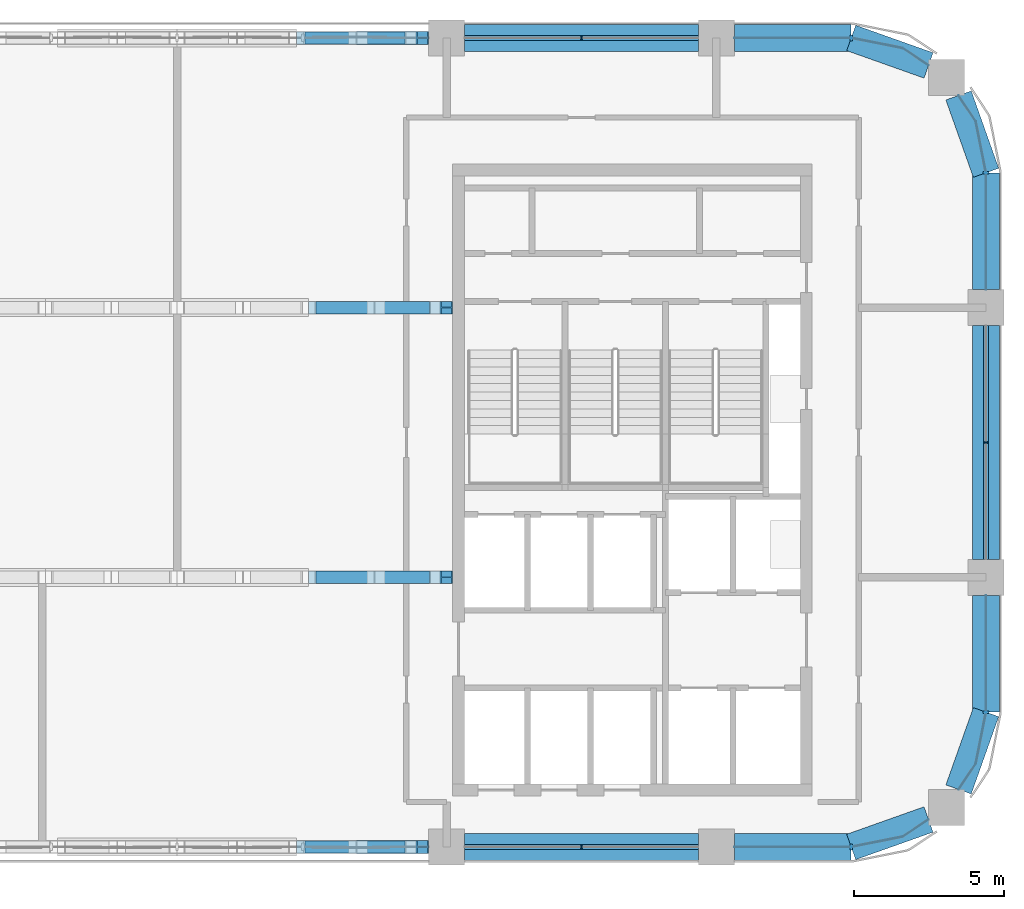
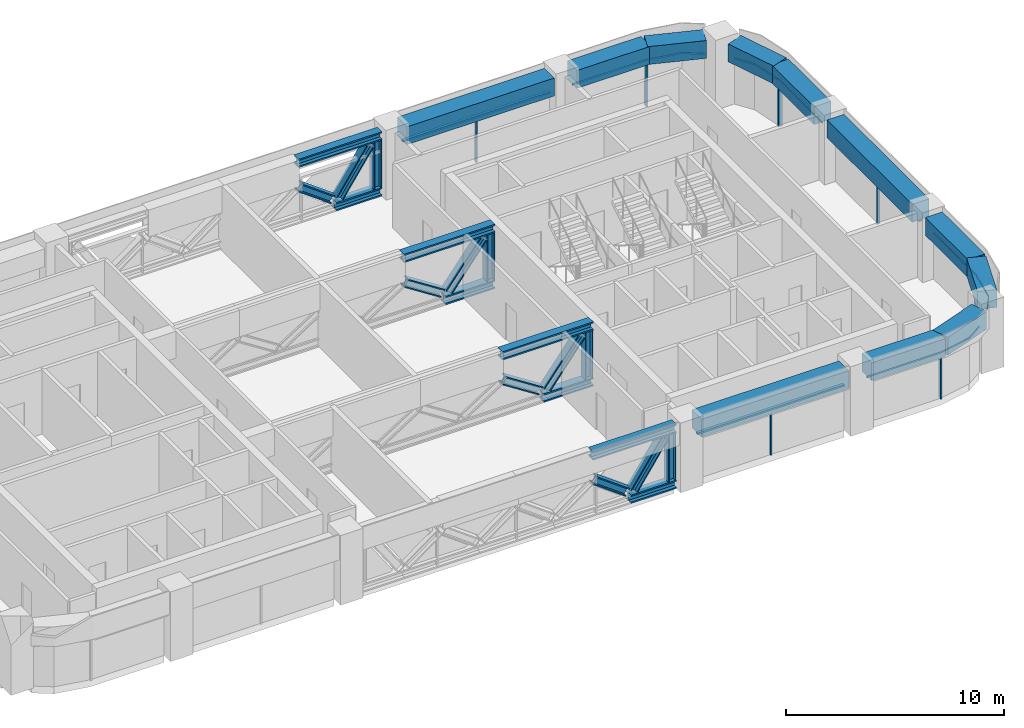
# One storey, part 5 of 12: 34 members, 11 beams, 7 elements without a shape of their own.
"""IFC4 building model written with IfcOpenShell, lengths in metres."""

import ifcopenshell
import ifcopenshell.guid

model = None  # the IFC model being written
_history = None  # IfcOwnerHistory: only IFC2X3 demands one
_inside = {}  # id of a spatial element -> (the spatial element, [elements in it])
_under = {}  # id of a project, library or spatial element -> (it, [spatial elements below it])
_declared = {}  # id of a project -> (the project, [libraries it declares])
_typed = {}  # id of a type object -> (the type object, [elements of that type])
_made_of = {}  # id of a material, layer set ... -> (it, [elements and type objects made of it])


def new_model(schema):
    """Start an empty IFC model of exactly this schema.

    Asked for "IFC4X3", IfcOpenShell would pick the latest addendum, in which some entities
    have other attributes; the version numbers below select the first issue.
    IFC2X3 requires an IfcOwnerHistory on every rooted entity: one is made here for all.
    """
    global model, _history
    if schema == "IFC4X3":
        model = ifcopenshell.file(schema_version=(4, 3, 0, 0))
    else:
        model = ifcopenshell.file(schema=schema)
    _inside.clear()
    _under.clear()
    _declared.clear()
    _typed.clear()
    _made_of.clear()
    _history = None
    if model.schema == "IFC2X3":
        org = make("IfcOrganization", Name="unknown")
        user = make(
            "IfcPersonAndOrganization",
            ThePerson=make("IfcPerson", FamilyName="unknown"),
            TheOrganization=org,
        )
        app = make(
            "IfcApplication",
            ApplicationDeveloper=org,
            Version="unknown",
            ApplicationFullName="unknown",
            ApplicationIdentifier="unknown",
        )
        _history = make(
            "IfcOwnerHistory",
            OwningUser=user,
            OwningApplication=app,
            ChangeAction="ADDED",
            CreationDate=0,
        )
    return model


def make(cls, **values):
    """One entity of the class cls with the attributes given. An attribute that is None is left unset."""
    return model.create_entity(
        cls, **{name: value for name, value in values.items() if value is not None}
    )


def rooted(cls, **values):
    """An entity with a GlobalId (a new one), such as an element, a storey or a relation."""
    return make(cls, GlobalId=ifcopenshell.guid.new(), OwnerHistory=_history, **values)


def si_unit(unit_type, name, prefix=None):
    """IfcSIUnit, for example si_unit("LENGTHUNIT", "METRE", prefix="MILLI")."""
    return make("IfcSIUnit", UnitType=unit_type, Prefix=prefix, Name=name)


def assignment(units):
    """IfcUnitAssignment: the units of a project."""
    return None if units is None else make("IfcUnitAssignment", Units=units)


def point(xyz):
    """IfcCartesianPoint."""
    return None if xyz is None else make("IfcCartesianPoint", Coordinates=xyz)


def direction(xyz):
    """IfcDirection."""
    return None if xyz is None else make("IfcDirection", DirectionRatios=xyz)


def frame(location, z_axis=None, x_axis=None):
    """IfcAxis2Placement3D, a coordinate frame: its origin and axes. An axis left out is left unset."""
    return make(
        "IfcAxis2Placement3D",
        Location=point(location),
        Axis=direction(z_axis),
        RefDirection=direction(x_axis),
    )


def frame_2d(location, x_axis=None):
    """IfcAxis2Placement2D, a coordinate frame in the plane: its origin and x axis."""
    return make(
        "IfcAxis2Placement2D", Location=point(location), RefDirection=direction(x_axis)
    )


def origin():
    """The frame at (0, 0, 0) with its axes left unset."""
    return frame((0.0, 0.0, 0.0))


def origin_2d():
    """The frame at (0, 0) in the plane with its x axis left unset."""
    return frame_2d((0.0, 0.0))


def place(relative_to, where):
    """IfcLocalPlacement: puts the frame where relative to a parent placement (None: the world)."""
    return make(
        "IfcLocalPlacement", PlacementRelTo=relative_to, RelativePlacement=where
    )


def context(
    kind, dimensions, precision=None, world=None, true_north=None, identifier=None
):
    """IfcGeometricRepresentationContext, for example the 3D "Model" context."""
    return make(
        "IfcGeometricRepresentationContext",
        ContextIdentifier=identifier,
        ContextType=kind,
        CoordinateSpaceDimension=dimensions,
        Precision=precision,
        WorldCoordinateSystem=world,
        TrueNorth=true_north,
    )


def subcontext(parent, identifier, kind, view, scale=None):
    """IfcGeometricRepresentationSubContext, for example "Body" below "Model"."""
    return make(
        "IfcGeometricRepresentationSubContext",
        ContextIdentifier=identifier,
        ContextType=kind,
        ParentContext=parent,
        TargetScale=scale,
        TargetView=view,
    )


def project(units=None, contexts=None):
    """IfcProject with its units and contexts."""
    return rooted(
        "IfcProject",
        Name="project",
        RepresentationContexts=contexts,
        UnitsInContext=assignment(units),
    )


def spatial(cls, under=None, at=None, **own):
    """A site, building, storey or space (cls), placed at a placement, below another one or the project."""
    s = rooted(cls, ObjectPlacement=at, **own)
    if under is not None:
        _under.setdefault(under.id(), (under, []))[1].append(s)
    return s


def polyline(points):
    """IfcPolyline through the points."""
    return make("IfcPolyline", Points=[point(p) for p in points])


def profile(cls, at=None, kind="AREA", **sizes):
    """A parametric profile (cls). Its sizes go by their IFC names, for example OverallWidth=200.0."""
    return make(cls, ProfileType=kind, Position=at, **sizes)


def rectangle(**sizes):
    """IfcRectangleProfileDef."""
    return profile("IfcRectangleProfileDef", **sizes)


def i_section(**sizes):
    """IfcIShapeProfileDef."""
    return profile("IfcIShapeProfileDef", **sizes)


def outline(outer, holes=None, kind="AREA"):
    """IfcArbitraryClosedProfileDef: a profile drawn as a closed curve; with holes, ...WithVoids."""
    if holes is None:
        return make("IfcArbitraryClosedProfileDef", ProfileType=kind, OuterCurve=outer)
    return make(
        "IfcArbitraryProfileDefWithVoids",
        ProfileType=kind,
        OuterCurve=outer,
        InnerCurves=holes,
    )


def extrude(swept, where, along, depth):
    """IfcExtrudedAreaSolid: the profile swept, set in the frame where, extruded along a direction by depth."""
    return make(
        "IfcExtrudedAreaSolid",
        SweptArea=swept,
        Position=where,
        ExtrudedDirection=direction(along),
        Depth=depth,
    )


def shape(context_of_items, identifier, shape_type, items):
    """IfcShapeRepresentation: the items that make up one representation, for example the "Body"."""
    return make(
        "IfcShapeRepresentation",
        ContextOfItems=context_of_items,
        RepresentationIdentifier=identifier,
        RepresentationType=shape_type,
        Items=items,
    )


def material(Name=None, Category=None):
    """IfcMaterial."""
    return make("IfcMaterial", Name=Name, Category=Category)


def material_profile(
    of_material, cross_section, Name=None, Category=None, Priority=None
):
    """IfcMaterialProfile: a cross section and its material."""
    return make(
        "IfcMaterialProfile",
        Name=Name,
        Material=of_material,
        Profile=cross_section,
        Priority=Priority,
        Category=Category,
    )


def profile_set(profiles, Name=None, composite=None):
    """IfcMaterialProfileSet."""
    return make(
        "IfcMaterialProfileSet",
        Name=Name,
        MaterialProfiles=profiles,
        CompositeProfile=composite,
    )


def made_of(thing, what):
    """Note that an element or type object is made of a material, layer set ...; save() writes the relation."""
    if what is not None:
        _made_of.setdefault(what.id(), (what, []))[1].append(thing)
    return thing


def type_object(cls, material=None, **own):
    """A type object (cls), such as IfcWallType, which elements share."""
    return made_of(rooted(cls, **own), material)


def element(
    cls,
    number,
    at=None,
    inside=None,
    cuts=None,
    type_object=None,
    material=None,
    context=None,
    identifier="Body",
    shape_type=None,
    held_by="IfcProductDefinitionShape",
    body=None,
    shapes=None,
    **own,
):
    """One element of the class cls, such as IfcWall. Its Tag is "e" and its number.

    at: its placement. inside: the storey or other place that contains it. cuts: it is an
    opening in that element (IfcRelVoidsElement). A single representation is given by context,
    identifier, shape_type and body (its items); several are given by shapes. held_by: the class
    of the entity that holds the representations. save() writes the other relations.
    """
    e = rooted(cls, Tag="e%d" % number, ObjectPlacement=at, **own)
    if body is not None:
        shapes = [shape(context, identifier, shape_type, body)]
    if shapes is not None:
        e.Representation = make(held_by, Representations=shapes)
    if inside is not None:
        _inside.setdefault(inside.id(), (inside, []))[1].append(e)
    if cuts is not None:
        rooted(
            "IfcRelVoidsElement", RelatingBuildingElement=cuts, RelatedOpeningElement=e
        )
    if type_object is not None:
        _typed.setdefault(type_object.id(), (type_object, []))[1].append(e)
    return made_of(e, material)


def aggregate(whole, parts):
    """IfcRelAggregates: a whole, such as a stair, and the parts it consists of."""
    return rooted("IfcRelAggregates", RelatingObject=whole, RelatedObjects=parts)


def save(model, path):
    """Write the relations noted so far, then the file.

    IfcRelAggregates (storeys below a building ...), IfcRelContainedInSpatialStructure (elements
    in a storey), IfcRelDefinesByType, IfcRelAssociatesMaterial and IfcRelDeclares: one each for
    every whole, place, type object, material and project.
    """
    for whole, parts in _under.values():
        aggregate(whole, parts)
    for where, things in _inside.values():
        rooted(
            "IfcRelContainedInSpatialStructure",
            RelatedElements=things,
            RelatingStructure=where,
        )
    for kind, things in _typed.values():
        rooted("IfcRelDefinesByType", RelatedObjects=things, RelatingType=kind)
    for what, things in _made_of.values():
        rooted("IfcRelAssociatesMaterial", RelatedObjects=things, RelatingMaterial=what)
    for by, libraries in _declared.values():
        rooted("IfcRelDeclares", RelatingContext=by, RelatedDefinitions=libraries)
    model.write(path)


model = new_model("IFC4")

# Units and contexts
model_context = context("Model", 3, precision=1e-05, world=origin(), true_north=direction((0.0, 1.0)))
body_context = subcontext(model_context, "Body", "Model", "MODEL_VIEW")
ifc_project = project(units=[si_unit("LENGTHUNIT", "METRE"), si_unit("AREAUNIT", "SQUARE_METRE"), si_unit("VOLUMEUNIT", "CUBIC_METRE"), si_unit("PLANEANGLEUNIT", "RADIAN"), si_unit("MASSUNIT", "GRAM", prefix="KILO")], contexts=[model_context])

# Site, building, storey
site_placement = place(None, origin())
site = spatial("IfcSite", under=ifc_project, at=site_placement, CompositionType="ELEMENT")
building_placement = place(site_placement, origin())
building = spatial("IfcBuilding", under=site, at=building_placement, Name="Tessera Arch", CompositionType="ELEMENT")
storey_placement = place(building_placement, frame((0.0, 0.0, 230.60009765625)))
storey = spatial("IfcBuildingStorey", under=building, at=storey_placement, Name="L55", CompositionType="ELEMENT", Elevation=230.60009765625)

# Curtain wall, member
ifc_material_1 = material(Name="CW1 curtain wall")
curtain_wall_type_1 = type_object("IfcCurtainWallType", Name="CW1 curtain wall", PredefinedType="NOTDEFINED", material=ifc_material_1)
curtain_wall_1_placement = place(storey_placement, origin())
curtain_wall_1 = element("IfcCurtainWall", 1, at=curtain_wall_1_placement, inside=storey, type_object=curtain_wall_type_1, Name="CW1 curtain wall E54.27/0 L55", PredefinedType="NOTDEFINED")
ifc_material_2 = material(Name="Anodised aluminium pale metal", Category="aluminium")
ifc_material_profile_1 = material_profile(ifc_material_2, rectangle(XDim=0.159912109375, YDim=0.06005859375, at=origin_2d()), Name="AL 60x160")
ifc_profile_set_1 = profile_set([ifc_material_profile_1], Name="Anodised aluminium pale metal")
member_type_1 = type_object("IfcMemberType", Name="CW1 mullion", PredefinedType="MULLION", material=ifc_profile_set_1)
member_1_placement = place(storey_placement, frame((54.0, 40.5, 0.0), z_axis=(0.0, 0.0, 1.0), x_axis=(-1.0, 0.0, 0.0)))
member_1 = element("IfcMember", 2, at=member_1_placement, type_object=member_type_1, Name="CW1 mullion E54.27/0 1", PredefinedType="MULLION", context=body_context, shape_type="SweptSolid", body=[
    extrude(rectangle(XDim=0.159912109375, YDim=0.06005859375, at=origin_2d()), origin(), (0.0, 0.0, 1.0), 2.5),
])

curtain_wall_2_placement = place(storey_placement, origin())
curtain_wall_2 = element("IfcCurtainWall", 3, at=curtain_wall_2_placement, inside=storey, type_object=curtain_wall_type_1, Name="CW1 curtain wall N54.0/1 L55", PredefinedType="NOTDEFINED")
member_2_placement = place(storey_placement, frame((40.5, 54.0, 0.0), z_axis=(0.0, 0.0, 1.0), x_axis=(0.0, -1.0, 0.0)))
member_2 = element("IfcMember", 4, at=member_2_placement, type_object=member_type_1, Name="CW1 mullion N54.0/1 1", PredefinedType="MULLION", context=body_context, shape_type="SweptSolid", body=[
    extrude(rectangle(XDim=0.159912109375, YDim=0.06005859375, at=origin_2d()), origin(), (0.0, 0.0, 1.0), 2.5),
])

curtain_wall_3_placement = place(storey_placement, origin())
curtain_wall_3 = element("IfcCurtainWall", 5, at=curtain_wall_3_placement, inside=storey, type_object=curtain_wall_type_1, Name="CW1 curtain wall S27.0/3 L55", PredefinedType="NOTDEFINED")
member_3_placement = place(storey_placement, frame((40.5, 27.0, 0.0), z_axis=(0.0, 0.0, 1.0), x_axis=(0.0, 1.0, 0.0)))
member_3 = element("IfcMember", 6, at=member_3_placement, type_object=member_type_1, Name="CW1 mullion S27.0/3 1", PredefinedType="MULLION", context=body_context, shape_type="SweptSolid", body=[
    extrude(rectangle(XDim=0.159912109375, YDim=0.06005859375, at=origin_2d()), origin(), (0.0, 0.0, 1.0), 2.5),
])

# Member
ifc_material_3 = material(Name="Anodised aluminium pale metal", Category="aluminium")
ifc_material_profile_2 = material_profile(ifc_material_3, rectangle(XDim=0.159912109375, YDim=0.10009765625, at=origin_2d()), Name="AL 160x100")
ifc_profile_set_2 = profile_set([ifc_material_profile_2], Name="Anodised aluminium pale metal")
member_type_2 = type_object("IfcMemberType", Name="CW1 transom", PredefinedType="USERDEFINED", material=ifc_profile_set_2)
member_4_placement = place(storey_placement, frame((54.0, 36.60009765625, 2.5498046875), z_axis=(0.0, 1.0, 0.0), x_axis=(-1.0, 0.0, 0.0)))
member_4 = element("IfcMember", 7, at=member_4_placement, type_object=member_type_2, Name="CW1 transom E54.27/0 1.1", ObjectType="TRANSOM", PredefinedType="USERDEFINED", context=body_context, shape_type="SweptSolid", body=[
    extrude(rectangle(XDim=0.159912109375, YDim=0.10009765625, at=origin_2d()), origin(), (0.0, 0.0, 1.0), 7.7998046875),
])

aggregate(curtain_wall_1, [member_1, member_4])

member_5_placement = place(storey_placement, frame((44.39990234375, 54.0, 2.5498046875), z_axis=(-1.0, 0.0, 0.0), x_axis=(0.0, -1.0, 0.0)))
member_5 = element("IfcMember", 8, at=member_5_placement, type_object=member_type_2, Name="CW1 transom N54.0/1 1.1", ObjectType="TRANSOM", PredefinedType="USERDEFINED", context=body_context, shape_type="SweptSolid", body=[
    extrude(rectangle(XDim=0.159912109375, YDim=0.10009765625, at=origin_2d()), origin(), (0.0, 0.0, 1.0), 7.7998046875),
])

aggregate(curtain_wall_2, [member_2, member_5])

member_6_placement = place(storey_placement, frame((36.60009765625, 27.0, 2.5498046875), z_axis=(1.0, 0.0, 0.0), x_axis=(0.0, 1.0, 0.0)))
member_6 = element("IfcMember", 9, at=member_6_placement, type_object=member_type_2, Name="CW1 transom S27.0/3 1.1", ObjectType="TRANSOM", PredefinedType="USERDEFINED", context=body_context, shape_type="SweptSolid", body=[
    extrude(rectangle(XDim=0.159912109375, YDim=0.10009765625, at=origin_2d()), origin(), (0.0, 0.0, 1.0), 7.7998046875),
])

aggregate(curtain_wall_3, [member_3, member_6])

# Curtain wall, member
ifc_material_4 = material(Name="CW2 curtain wall")
curtain_wall_type_2 = type_object("IfcCurtainWallType", Name="CW2 curtain wall", PredefinedType="NOTDEFINED", material=ifc_material_4)
curtain_wall_4_placement = place(storey_placement, origin())
curtain_wall_4 = element("IfcCurtainWall", 10, at=curtain_wall_4_placement, inside=storey, type_object=curtain_wall_type_2, Name="CW2 curtain wall E54.27/1 L55", PredefinedType="NOTDEFINED")
ifc_material_5 = material(Name="Anodised aluminium pale metal", Category="aluminium")
ifc_material_profile_3 = material_profile(ifc_material_5, rectangle(XDim=0.199951171875, YDim=0.080078125, at=origin_2d()), Name="AL 80x200")
ifc_profile_set_3 = profile_set([ifc_material_profile_3], Name="Anodised aluminium pale metal")
member_type_3 = type_object("IfcMemberType", Name="CW2 mullion", PredefinedType="MULLION", material=ifc_profile_set_3)
member_7_placement = place(storey_placement, frame((54.0, 49.5, 0.0), z_axis=(0.0, 0.0, 1.0), x_axis=(-1.0, 0.0, 0.0)))
member_7 = element("IfcMember", 11, at=member_7_placement, type_object=member_type_3, Name="CW2 mullion E54.27/1 1", PredefinedType="MULLION", context=body_context, shape_type="SweptSolid", body=[
    extrude(rectangle(XDim=0.199951171875, YDim=0.080078125, at=origin_2d()), origin(), (0.0, 0.0, 1.0), 2.5),
])

curtain_wall_5_placement = place(storey_placement, origin())
curtain_wall_5 = element("IfcCurtainWall", 12, at=curtain_wall_5_placement, inside=storey, type_object=curtain_wall_type_2, Name="CW2 curtain wall N54.0/0 L55", PredefinedType="NOTDEFINED")
member_8_placement = place(storey_placement, frame((49.5, 54.0, 0.0), z_axis=(0.0, 0.0, 1.0), x_axis=(0.0, -1.0, 0.0)))
member_8 = element("IfcMember", 13, at=member_8_placement, type_object=member_type_3, Name="CW2 mullion N54.0/0 1", PredefinedType="MULLION", context=body_context, shape_type="SweptSolid", body=[
    extrude(rectangle(XDim=0.199951171875, YDim=0.080078125, at=origin_2d()), origin(), (0.0, 0.0, 1.0), 2.5),
])

curtain_wall_6_placement = place(storey_placement, origin())
curtain_wall_6 = element("IfcCurtainWall", 14, at=curtain_wall_6_placement, inside=storey, type_object=curtain_wall_type_2, Name="CW2 curtain wall S27.0/4 L55", PredefinedType="NOTDEFINED")
member_9_placement = place(storey_placement, frame((49.5, 27.0, 0.0), z_axis=(0.0, 0.0, 1.0), x_axis=(0.0, 1.0, 0.0)))
member_9 = element("IfcMember", 15, at=member_9_placement, type_object=member_type_3, Name="CW2 mullion S27.0/4 1", PredefinedType="MULLION", context=body_context, shape_type="SweptSolid", body=[
    extrude(rectangle(XDim=0.199951171875, YDim=0.080078125, at=origin_2d()), origin(), (0.0, 0.0, 1.0), 2.5),
])

curtain_wall_7_placement = place(storey_placement, origin())
curtain_wall_7 = element("IfcCurtainWall", 16, at=curtain_wall_7_placement, inside=storey, type_object=curtain_wall_type_2, Name="CW2 curtain wall E54.27/2 L55", PredefinedType="NOTDEFINED")
member_10_placement = place(storey_placement, frame((54.0, 31.5, 0.0), z_axis=(0.0, 0.0, 1.0), x_axis=(-1.0, 0.0, 0.0)))
member_10 = element("IfcMember", 17, at=member_10_placement, type_object=member_type_3, Name="CW2 mullion E54.27/2 1", PredefinedType="MULLION", context=body_context, shape_type="SweptSolid", body=[
    extrude(rectangle(XDim=0.199951171875, YDim=0.080078125, at=origin_2d()), origin(), (0.0, 0.0, 1.0), 2.5),
])

# Member
ifc_material_6 = material(Name="Anodised aluminium pale metal", Category="aluminium")
ifc_material_profile_4 = material_profile(ifc_material_6, rectangle(XDim=0.199951171875, YDim=0.10009765625, at=origin_2d()), Name="AL 200x100")
ifc_profile_set_4 = profile_set([ifc_material_profile_4], Name="Anodised aluminium pale metal")
member_type_4 = type_object("IfcMemberType", Name="CW2 transom", PredefinedType="USERDEFINED", material=ifc_profile_set_4)
member_11_placement = place(storey_placement, frame((0.0, 0.0, 2.5)))
member_11 = element("IfcMember", 18, at=member_11_placement, type_object=member_type_4, Name="CW2 transom E54.27/1 1", ObjectType="TRANSOM", PredefinedType="USERDEFINED", context=body_context, shape_type="SweptSolid", body=[
    extrude(outline(polyline([(53.989990234375, 49.4990234375), (53.989990234375, 45.60009765625), (54.010009765625, 45.60009765625), (54.010009765625, 49.5009765625), (53.6669921875, 51.22607421875), (53.09130859375, 52.087646484375), (53.07470703125, 52.076416015625), (53.648193359375, 51.21826171875), (53.989990234375, 49.4990234375)])), origin(), (0.0, 0.0, 1.0), 0.099853515625),
])

aggregate(curtain_wall_4, [member_7, member_11])

member_12_placement = place(storey_placement, frame((0.0, 0.0, 2.5)))
member_12 = element("IfcMember", 19, at=member_12_placement, type_object=member_type_4, Name="CW2 transom N54.0/0 1", ObjectType="TRANSOM", PredefinedType="USERDEFINED", context=body_context, shape_type="SweptSolid", body=[
    extrude(outline(polyline([(51.21826171875, 53.648193359375), (52.076416015625, 53.07470703125), (52.087646484375, 53.09130859375), (51.22607421875, 53.6669921875), (49.5009765625, 54.010009765625), (45.60009765625, 54.010009765625), (45.60009765625, 53.989990234375), (49.4990234375, 53.989990234375), (51.21826171875, 53.648193359375)])), origin(), (0.0, 0.0, 1.0), 0.099853515625),
])

aggregate(curtain_wall_5, [member_8, member_12])

member_13_placement = place(storey_placement, frame((0.0, 0.0, 2.5)))
member_13 = element("IfcMember", 20, at=member_13_placement, type_object=member_type_4, Name="CW2 transom S27.0/4 1", ObjectType="TRANSOM", PredefinedType="USERDEFINED", context=body_context, shape_type="SweptSolid", body=[
    extrude(outline(polyline([(49.4990234375, 27.010009765625), (45.60009765625, 27.010009765625), (45.60009765625, 26.989990234375), (49.5009765625, 26.989990234375), (51.22607421875, 27.3330078125), (52.087646484375, 27.90869140625), (52.076416015625, 27.92529296875), (51.21826171875, 27.351806640625), (49.4990234375, 27.010009765625)])), origin(), (0.0, 0.0, 1.0), 0.099853515625),
])

aggregate(curtain_wall_6, [member_9, member_13])

member_14_placement = place(storey_placement, frame((0.0, 0.0, 2.5)))
member_14 = element("IfcMember", 21, at=member_14_placement, type_object=member_type_4, Name="CW2 transom E54.27/2 1", ObjectType="TRANSOM", PredefinedType="USERDEFINED", context=body_context, shape_type="SweptSolid", body=[
    extrude(outline(polyline([(53.648193359375, 29.78173828125), (53.07470703125, 28.923583984375), (53.09130859375, 28.912353515625), (53.6669921875, 29.77392578125), (54.010009765625, 31.4990234375), (54.010009765625, 35.39990234375), (53.989990234375, 35.39990234375), (53.989990234375, 31.5009765625), (53.648193359375, 29.78173828125)])), origin(), (0.0, 0.0, 1.0), 0.099853515625),
])

aggregate(curtain_wall_7, [member_10, member_14])

# Beams
ifc_material_7 = material(Name="Concrete C60/75", Category="concrete")
ifc_material_profile_5 = material_profile(ifc_material_7, rectangle(XDim=0.89990234375, YDim=1.0, at=origin_2d()), Name="RC spandrel beam 900 x 1000 Concrete C60/75")
ifc_profile_set_5 = profile_set([ifc_material_profile_5], Name="Concrete C60/75")
beam_type = type_object("IfcBeamType", Name="RC spandrel beam 900 x 1000 Concrete C60/75", PredefinedType="BEAM", material=ifc_profile_set_5)
beam_1_placement = place(storey_placement, frame((54.0, 36.60009765625, 3.099853515625), z_axis=(0.0, 1.0, 0.0), x_axis=(-1.0, 0.0, 0.0)))
element("IfcBeam", 22, at=beam_1_placement, inside=storey, type_object=beam_type, Name="Spandrel beam L55 E54.27/0", PredefinedType="BEAM", context=body_context, shape_type="SweptSolid", body=[
    extrude(rectangle(XDim=0.89990234375, YDim=1.0, at=origin_2d()), origin(), (0.0, 0.0, 1.0), 7.7998046875),
])
beam_2_placement = place(storey_placement, frame((54.0, 45.60009765625, 3.099853515625), z_axis=(0.0, 1.0, 0.0), x_axis=(-1.0, 0.0, 0.0)))
element("IfcBeam", 23, at=beam_2_placement, inside=storey, type_object=beam_type, Name="Spandrel beam L55 E54.27/1.1", PredefinedType="BEAM", context=body_context, shape_type="SweptSolid", body=[
    extrude(rectangle(XDim=0.89990234375, YDim=1.0, at=origin_2d()), origin(), (0.0, 0.0, 1.0), 3.89990234375),
])
for number, where, z_axis, x_axis, name in (
    (24, (54.0, 49.5, 3.099853515625), (-0.334665114373, 0.942337127159, 0.0), (-0.942337127159, -0.334665114373, 0.0), "Spandrel beam L55 E54.27/1.2"),
    (25, (52.08203125, 53.0830078125, 3.099853515625), (-0.942337127159, 0.334665114373, 0.0), (-0.334665114373, -0.942337127159, 0.0), "Spandrel beam L55 N54.0/0.1"),
):
    element("IfcBeam", number, at=place(storey_placement, frame(where, z_axis=z_axis, x_axis=x_axis)), inside=storey, type_object=beam_type, Name=name, PredefinedType="BEAM", context=body_context, shape_type="SweptSolid", body=[
        extrude(rectangle(XDim=0.89990234375, YDim=1.0, at=origin_2d()), origin(), (0.0, 0.0, 1.0), 2.739990234375),
    ])
beam_3_placement = place(storey_placement, frame((49.5, 54.0, 3.099853515625), z_axis=(-1.0, 0.0, 0.0), x_axis=(0.0, -1.0, 0.0)))
element("IfcBeam", 26, at=beam_3_placement, inside=storey, type_object=beam_type, Name="Spandrel beam L55 N54.0/0.2", PredefinedType="BEAM", context=body_context, shape_type="SweptSolid", body=[
    extrude(rectangle(XDim=0.89990234375, YDim=1.0, at=origin_2d()), origin(), (0.0, 0.0, 1.0), 3.89990234375),
])
for number, where, z_axis, x_axis, name in (
    (27, (44.39990234375, 54.0, 3.099853515625), (-1.0, 0.0, 0.0), (0.0, -1.0, 0.0), "Spandrel beam L55 N54.0/1"),
    (28, (36.60009765625, 27.0, 3.099853515625), (1.0, 0.0, 0.0), (0.0, 1.0, 0.0), "Spandrel beam L55 S27.0/3"),
):
    element("IfcBeam", number, at=place(storey_placement, frame(where, z_axis=z_axis, x_axis=x_axis)), inside=storey, type_object=beam_type, Name=name, PredefinedType="BEAM", context=body_context, shape_type="SweptSolid", body=[
        extrude(rectangle(XDim=0.89990234375, YDim=1.0, at=origin_2d()), origin(), (0.0, 0.0, 1.0), 7.7998046875),
    ])
beam_4_placement = place(storey_placement, frame((45.60009765625, 27.0, 3.099853515625), z_axis=(1.0, 0.0, 0.0), x_axis=(0.0, 1.0, 0.0)))
element("IfcBeam", 29, at=beam_4_placement, inside=storey, type_object=beam_type, Name="Spandrel beam L55 S27.0/4.1", PredefinedType="BEAM", context=body_context, shape_type="SweptSolid", body=[
    extrude(rectangle(XDim=0.89990234375, YDim=1.0, at=origin_2d()), origin(), (0.0, 0.0, 1.0), 3.89990234375),
])
for number, where, z_axis, x_axis, name in (
    (30, (49.5, 27.0, 3.099853515625), (0.942337127159, 0.334665114373, 0.0), (-0.334665114373, 0.942337127159, 0.0), "Spandrel beam L55 S27.0/4.2"),
    (31, (53.0830078125, 28.91796875, 3.099853515625), (0.334665114373, 0.942337127159, 0.0), (-0.942337127159, 0.334665114373, 0.0), "Spandrel beam L55 E54.27/2.1"),
):
    element("IfcBeam", number, at=place(storey_placement, frame(where, z_axis=z_axis, x_axis=x_axis)), inside=storey, type_object=beam_type, Name=name, PredefinedType="BEAM", context=body_context, shape_type="SweptSolid", body=[
        extrude(rectangle(XDim=0.89990234375, YDim=1.0, at=origin_2d()), origin(), (0.0, 0.0, 1.0), 2.739990234375),
    ])
beam_5_placement = place(storey_placement, frame((54.0, 31.5, 3.099853515625), z_axis=(0.0, 1.0, 0.0), x_axis=(-1.0, 0.0, 0.0)))
element("IfcBeam", 32, at=beam_5_placement, inside=storey, type_object=beam_type, Name="Spandrel beam L55 E54.27/2.2", PredefinedType="BEAM", context=body_context, shape_type="SweptSolid", body=[
    extrude(rectangle(XDim=0.89990234375, YDim=1.0, at=origin_2d()), origin(), (0.0, 0.0, 1.0), 3.89990234375),
])

# Members
ifc_material_8 = material(Name="Steel A992 Gr50", Category="steel")
ifc_material_profile_6 = material_profile(ifc_material_8, i_section(OverallWidth=0.424072265625, OverallDepth=0.47412109375, WebThickness=0.047607421875, FlangeThickness=0.0771484375, at=origin_2d()), Name="W14x426")
ifc_profile_set_6 = profile_set([ifc_material_profile_6], Name="Steel A992 Gr50")
member_type_5 = type_object("IfcMemberType", Name="Truss chord W14x426", PredefinedType="CHORD", material=ifc_profile_set_6)
member_15_placement = place(storey_placement, frame((30.99169921875, 27.0, 3.36279296875), z_axis=(1.0, 0.0, 0.0), x_axis=(0.0, 1.0, 0.0)))
element("IfcMember", 33, at=member_15_placement, inside=storey, type_object=member_type_5, Name="Bridge truss top chord 4", PredefinedType="CHORD", context=body_context, shape_type="SweptSolid", body=[
    extrude(i_section(OverallWidth=0.424072265625, OverallDepth=0.47412109375, WebThickness=0.047607421875, FlangeThickness=0.0771484375, at=origin_2d()), origin(), (0.0, 0.0, 1.0), 4.408203125),
])
member_16_placement = place(storey_placement, frame((32.987548828125, 27.0, 0.237060546875), z_axis=(1.0, 0.0, 0.0), x_axis=(0.0, 1.0, 0.0)))
element("IfcMember", 34, at=member_16_placement, inside=storey, type_object=member_type_5, Name="Bridge truss bottom chord 5", PredefinedType="CHORD", context=body_context, shape_type="SweptSolid", body=[
    extrude(i_section(OverallWidth=0.424072265625, OverallDepth=0.47412109375, WebThickness=0.047607421875, FlangeThickness=0.0771484375, at=origin_2d()), origin(), (0.0, 0.0, 1.0), 2.412353515625),
])
member_17_placement = place(storey_placement, frame((31.3916015625, 36.0, 3.36279296875), z_axis=(1.0, 0.0, 0.0), x_axis=(0.0, 1.0, 0.0)))
element("IfcMember", 35, at=member_17_placement, inside=storey, type_object=member_type_5, Name="Bridge truss top chord 4", PredefinedType="CHORD", context=body_context, shape_type="SweptSolid", body=[
    extrude(i_section(OverallWidth=0.424072265625, OverallDepth=0.47412109375, WebThickness=0.047607421875, FlangeThickness=0.0771484375, at=origin_2d()), origin(), (0.0, 0.0, 1.0), 4.808349609375),
])
member_18_placement = place(storey_placement, frame((33.587646484375, 36.0, 0.237060546875), z_axis=(1.0, 0.0, 0.0), x_axis=(0.0, 1.0, 0.0)))
element("IfcMember", 36, at=member_18_placement, inside=storey, type_object=member_type_5, Name="Bridge truss bottom chord 5", PredefinedType="CHORD", context=body_context, shape_type="SweptSolid", body=[
    extrude(i_section(OverallWidth=0.424072265625, OverallDepth=0.47412109375, WebThickness=0.047607421875, FlangeThickness=0.0771484375, at=origin_2d()), origin(), (0.0, 0.0, 1.0), 2.6123046875),
])
member_19_placement = place(storey_placement, frame((31.3916015625, 45.0, 3.36279296875), z_axis=(1.0, 0.0, 0.0), x_axis=(0.0, 1.0, 0.0)))
element("IfcMember", 37, at=member_19_placement, inside=storey, type_object=member_type_5, Name="Bridge truss top chord 4", PredefinedType="CHORD", context=body_context, shape_type="SweptSolid", body=[
    extrude(i_section(OverallWidth=0.424072265625, OverallDepth=0.47412109375, WebThickness=0.047607421875, FlangeThickness=0.0771484375, at=origin_2d()), origin(), (0.0, 0.0, 1.0), 4.808349609375),
])
member_20_placement = place(storey_placement, frame((33.587646484375, 45.0, 0.237060546875), z_axis=(1.0, 0.0, 0.0), x_axis=(0.0, 1.0, 0.0)))
element("IfcMember", 38, at=member_20_placement, inside=storey, type_object=member_type_5, Name="Bridge truss bottom chord 5", PredefinedType="CHORD", context=body_context, shape_type="SweptSolid", body=[
    extrude(i_section(OverallWidth=0.424072265625, OverallDepth=0.47412109375, WebThickness=0.047607421875, FlangeThickness=0.0771484375, at=origin_2d()), origin(), (0.0, 0.0, 1.0), 2.6123046875),
])
member_21_placement = place(storey_placement, frame((30.99169921875, 54.0, 3.36279296875), z_axis=(1.0, 0.0, 0.0), x_axis=(0.0, 1.0, 0.0)))
element("IfcMember", 39, at=member_21_placement, inside=storey, type_object=member_type_5, Name="Bridge truss top chord 4", PredefinedType="CHORD", context=body_context, shape_type="SweptSolid", body=[
    extrude(i_section(OverallWidth=0.424072265625, OverallDepth=0.47412109375, WebThickness=0.047607421875, FlangeThickness=0.0771484375, at=origin_2d()), origin(), (0.0, 0.0, 1.0), 4.408203125),
])
member_22_placement = place(storey_placement, frame((32.987548828125, 54.0, 0.237060546875), z_axis=(1.0, 0.0, 0.0), x_axis=(0.0, 1.0, 0.0)))
element("IfcMember", 40, at=member_22_placement, inside=storey, type_object=member_type_5, Name="Bridge truss bottom chord 5", PredefinedType="CHORD", context=body_context, shape_type="SweptSolid", body=[
    extrude(i_section(OverallWidth=0.424072265625, OverallDepth=0.47412109375, WebThickness=0.047607421875, FlangeThickness=0.0771484375, at=origin_2d()), origin(), (0.0, 0.0, 1.0), 2.412353515625),
])
ifc_material_9 = material(Name="Steel A992 Gr50", Category="steel")
ifc_material_profile_7 = material_profile(ifc_material_9, i_section(OverallWidth=0.411376953125, OverallDepth=0.434326171875, WebThickness=0.035888671875, FlangeThickness=0.057373046875, at=origin_2d()), Name="W14x311")
ifc_profile_set_7 = profile_set([ifc_material_profile_7], Name="Steel A992 Gr50")
member_type_6 = type_object("IfcMemberType", Name="Truss diagonal W14x311", PredefinedType="BRACE", material=ifc_profile_set_7)
member_23_placement = place(storey_placement, frame((31.134521484375, 27.0, 1.9140625), z_axis=(0.80636473205, 0.0, -0.591418564898), x_axis=(0.0, 1.0, 0.0)))
element("IfcMember", 41, at=member_23_placement, inside=storey, type_object=member_type_6, Name="Bridge truss diagonal 7", PredefinedType="BRACE", context=body_context, shape_type="SweptSolid", body=[
    extrude(i_section(OverallWidth=0.411376953125, OverallDepth=0.434326171875, WebThickness=0.035888671875, FlangeThickness=0.057373046875, at=origin_2d()), origin(), (0.0, 0.0, 1.0), 2.12060546875),
])
member_24_placement = place(storey_placement, frame((33.17724609375, 27.0, 0.611083984375), z_axis=(0.562221758703, 0.0, 0.826986513821), x_axis=(0.0, 1.0, 0.0)))
element("IfcMember", 42, at=member_24_placement, inside=storey, type_object=member_type_6, Name="Bridge truss diagonal 8", PredefinedType="BRACE", context=body_context, shape_type="SweptSolid", body=[
    extrude(i_section(OverallWidth=0.411376953125, OverallDepth=0.434326171875, WebThickness=0.035888671875, FlangeThickness=0.057373046875, at=origin_2d()), origin(), (0.0, 0.0, 1.0), 2.875),
])
member_25_placement = place(storey_placement, frame((31.524169921875, 36.0, 1.907470703125), z_axis=(0.841244131584, 0.0, -0.540655445801), x_axis=(0.0, 1.0, 0.0)))
element("IfcMember", 43, at=member_25_placement, inside=storey, type_object=member_type_6, Name="Bridge truss diagonal 7", PredefinedType="BRACE", context=body_context, shape_type="SweptSolid", body=[
    extrude(i_section(OverallWidth=0.411376953125, OverallDepth=0.434326171875, WebThickness=0.035888671875, FlangeThickness=0.057373046875, at=origin_2d()), origin(), (0.0, 0.0, 1.0), 2.29541015625),
])
member_26_placement = place(storey_placement, frame((33.77001953125, 36.0, 0.62158203125), z_axis=(0.613487415098, 0.0, 0.789704496325), x_axis=(0.0, 1.0, 0.0)))
element("IfcMember", 44, at=member_26_placement, inside=storey, type_object=member_type_6, Name="Bridge truss diagonal 8", PredefinedType="BRACE", context=body_context, shape_type="SweptSolid", body=[
    extrude(i_section(OverallWidth=0.411376953125, OverallDepth=0.434326171875, WebThickness=0.035888671875, FlangeThickness=0.057373046875, at=origin_2d()), origin(), (0.0, 0.0, 1.0), 2.984375),
])
member_27_placement = place(storey_placement, frame((31.524169921875, 45.0, 1.907470703125), z_axis=(0.841244131584, 0.0, -0.540655445801), x_axis=(0.0, 1.0, 0.0)))
element("IfcMember", 45, at=member_27_placement, inside=storey, type_object=member_type_6, Name="Bridge truss diagonal 7", PredefinedType="BRACE", context=body_context, shape_type="SweptSolid", body=[
    extrude(i_section(OverallWidth=0.411376953125, OverallDepth=0.434326171875, WebThickness=0.035888671875, FlangeThickness=0.057373046875, at=origin_2d()), origin(), (0.0, 0.0, 1.0), 2.29541015625),
])
member_28_placement = place(storey_placement, frame((33.77001953125, 45.0, 0.62158203125), z_axis=(0.613487415098, 0.0, 0.789704496325), x_axis=(0.0, 1.0, 0.0)))
element("IfcMember", 46, at=member_28_placement, inside=storey, type_object=member_type_6, Name="Bridge truss diagonal 8", PredefinedType="BRACE", context=body_context, shape_type="SweptSolid", body=[
    extrude(i_section(OverallWidth=0.411376953125, OverallDepth=0.434326171875, WebThickness=0.035888671875, FlangeThickness=0.057373046875, at=origin_2d()), origin(), (0.0, 0.0, 1.0), 2.984375),
])
member_29_placement = place(storey_placement, frame((31.134521484375, 54.0, 1.9140625), z_axis=(0.80636473205, 0.0, -0.591418564898), x_axis=(0.0, 1.0, 0.0)))
element("IfcMember", 47, at=member_29_placement, inside=storey, type_object=member_type_6, Name="Bridge truss diagonal 7", PredefinedType="BRACE", context=body_context, shape_type="SweptSolid", body=[
    extrude(i_section(OverallWidth=0.411376953125, OverallDepth=0.434326171875, WebThickness=0.035888671875, FlangeThickness=0.057373046875, at=origin_2d()), origin(), (0.0, 0.0, 1.0), 2.12060546875),
])
member_30_placement = place(storey_placement, frame((33.17724609375, 54.0, 0.611083984375), z_axis=(0.562221758703, 0.0, 0.826986513821), x_axis=(0.0, 1.0, 0.0)))
element("IfcMember", 48, at=member_30_placement, inside=storey, type_object=member_type_6, Name="Bridge truss diagonal 8", PredefinedType="BRACE", context=body_context, shape_type="SweptSolid", body=[
    extrude(i_section(OverallWidth=0.411376953125, OverallDepth=0.434326171875, WebThickness=0.035888671875, FlangeThickness=0.057373046875, at=origin_2d()), origin(), (0.0, 0.0, 1.0), 2.875),
])
ifc_material_10 = material(Name="Steel A992 Gr50", Category="steel")
ifc_material_profile_8 = material_profile(ifc_material_10, i_section(OverallWidth=0.406494140625, OverallDepth=0.41650390625, WebThickness=0.030029296875, FlangeThickness=0.048095703125, at=origin_2d()), Name="W14x257")
ifc_profile_set_8 = profile_set([ifc_material_profile_8], Name="Steel A992 Gr50")
member_type_7 = type_object("IfcMemberType", Name="Truss post W14x257", PredefinedType="POST", material=ifc_profile_set_8)
for number, where, z_axis, x_axis, name in (
    (49, (35.191650390625, 27.0, 0.47412109375), (0.0, 0.0, 1.0), (0.0, 1.0, 0.0), "Bridge truss end post 2"),
    (50, (35.99169921875, 36.0, 0.47412109375), (0.0, 0.0, 1.0), (0.0, 1.0, 0.0), "Bridge truss end post 2"),
    (51, (35.99169921875, 45.0, 0.47412109375), (0.0, 0.0, 1.0), (0.0, 1.0, 0.0), "Bridge truss end post 2"),
    (52, (35.191650390625, 54.0, 0.47412109375), (0.0, 0.0, 1.0), (0.0, 1.0, 0.0), "Bridge truss end post 2"),
):
    element("IfcMember", number, at=place(storey_placement, frame(where, z_axis=z_axis, x_axis=x_axis)), inside=storey, type_object=member_type_7, Name=name, PredefinedType="POST", context=body_context, shape_type="SweptSolid", body=[
        extrude(i_section(OverallWidth=0.406494140625, OverallDepth=0.41650390625, WebThickness=0.030029296875, FlangeThickness=0.048095703125, at=origin_2d()), origin(), (0.0, 0.0, 1.0), 2.651611328125),
    ])

save(model, "model.ifc")
